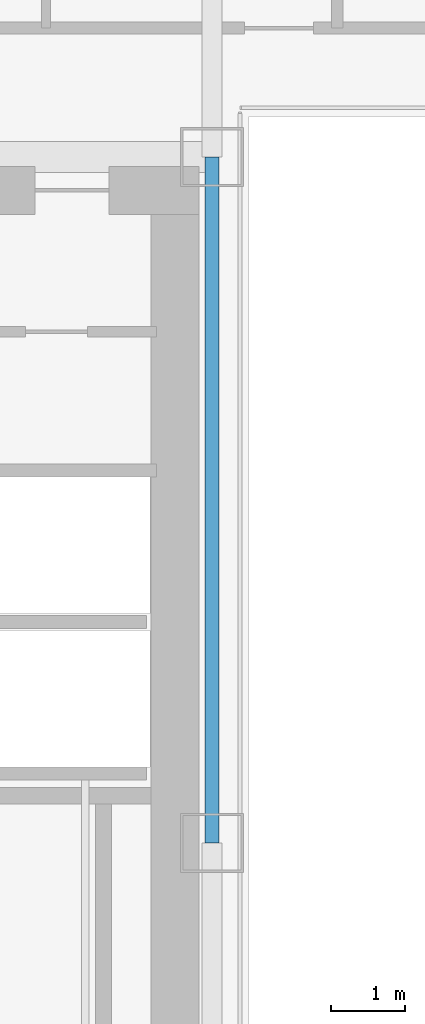
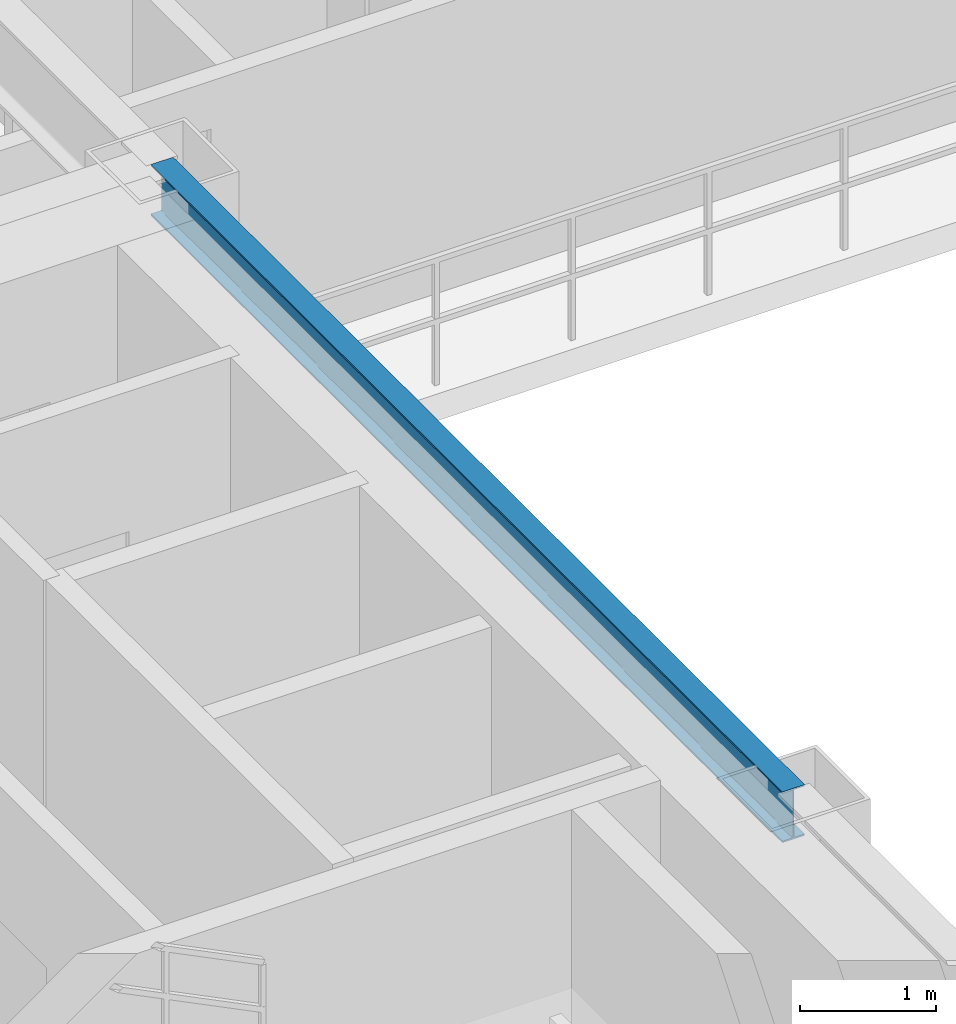
# One storey, part 9 of 35: 1 beam.
"""IFC4 building model written with IfcOpenShell, lengths in metres."""

from ifc_helpers import new_model, si_unit, direction, frame, origin, origin_2d, place, context, subcontext, project, spatial, i_section, extrude, source, transform, mapped, material, material_profile, profile_set, type_object, element, save


model = new_model("IFC4")

# Units and contexts
model_context = context("Model", 3, precision=1e-05, world=origin(), true_north=direction((0.0, 1.0)))
body_context = subcontext(model_context, "Body", "Model", "MODEL_VIEW")
ifc_project = project(units=[si_unit("LENGTHUNIT", "METRE"), si_unit("AREAUNIT", "SQUARE_METRE"), si_unit("VOLUMEUNIT", "CUBIC_METRE"), si_unit("PLANEANGLEUNIT", "RADIAN"), si_unit("MASSUNIT", "GRAM", prefix="KILO")], contexts=[model_context])

# Site, building, storey
site_placement = place(None, origin())
site = spatial("IfcSite", under=ifc_project, at=site_placement, CompositionType="ELEMENT")
building_placement = place(site_placement, origin())
building = spatial("IfcBuilding", under=site, at=building_placement, Name="Ocotamira Hotel", CompositionType="ELEMENT")
storey_placement = place(building_placement, frame((0.0, 0.0, 144.0)))
storey = spatial("IfcBuildingStorey", under=building, at=storey_placement, Name="L36", CompositionType="ELEMENT", Elevation=144.0)

# Beam
ifc_material = material(Name="Steel ASTM A992 Grade 50", Category="steel")
ifc_material_profile = material_profile(ifc_material, i_section(OverallWidth=0.18994140625, OverallDepth=0.45703125, WebThickness=0.009033203125, FlangeThickness=0.014404296875, FilletRadius=0.010009765625, at=origin_2d()), Name="W18X50")
ifc_profile_set = profile_set([ifc_material_profile], Name="Steel ASTM A992 Grade 50")
beam_type = type_object("IfcBeamType", Name="BM-SEC-W18X50", PredefinedType="JOIST", material=ifc_profile_set)
shared_shape = source(origin(), body_context, "Body", "SweptSolid", [
    extrude(i_section(OverallWidth=0.18994140625, OverallDepth=0.45703125, WebThickness=0.009033203125, FlangeThickness=0.014404296875, FilletRadius=0.010009765625, at=origin_2d()), origin(), (0.0, 0.0, 1.0), 9.300048828125),
])
beam_placement = place(storey_placement, frame((23.5, 28.14990234375, 3.131591796875), z_axis=(0.0, 1.0, 0.0), x_axis=(-1.0, 0.0, 0.0)))
element("IfcBeam", 1, at=beam_placement, inside=storey, type_object=beam_type, Name="L36 Beam X23.5 Y28.15-37.45", PredefinedType="JOIST", context=body_context, shape_type="MappedRepresentation", body=[
    mapped(shared_shape, transform((0.0, 0.0, 0.0), scale=1.0)),
])

save(model, "model.ifc")
